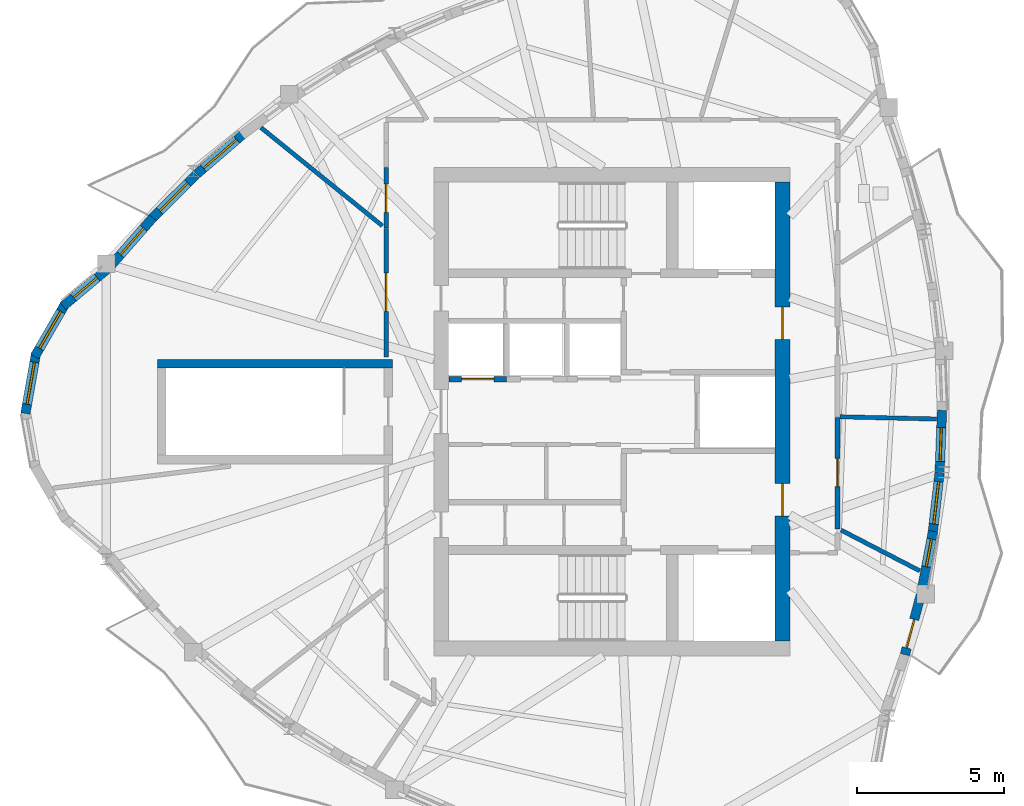
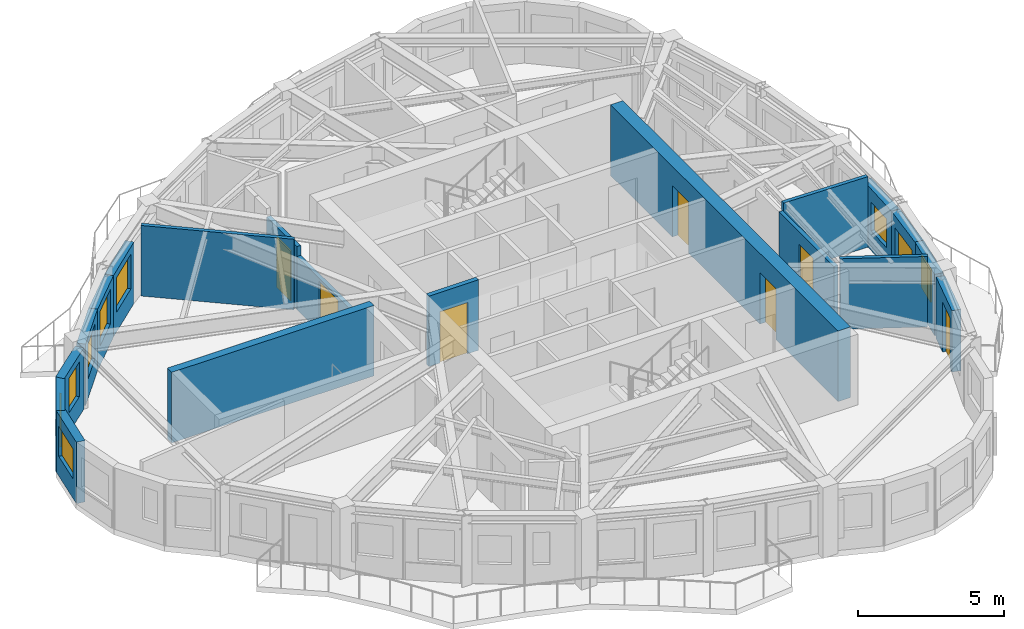
# One storey, part 5 of 12: 19 walls, 9 windows, 7 doors, 16 openings.
"""IFC4 building model written with IfcOpenShell, lengths in metres."""

from ifc_helpers import new_model, si_unit, direction, frame, frame_2d, origin, place, context, subcontext, project, spatial, rectangle, extrude, source, transform, mapped, material, layer, layer_set, type_object, element, fill, save


model = new_model("IFC4")

# Units and contexts
model_context = context("Model", 3, precision=1e-05, world=origin(), true_north=direction((0.0, 1.0)))
body_context = subcontext(model_context, "Body", "Model", "MODEL_VIEW")
ifc_project = project(units=[si_unit("LENGTHUNIT", "METRE"), si_unit("AREAUNIT", "SQUARE_METRE"), si_unit("VOLUMEUNIT", "CUBIC_METRE"), si_unit("PLANEANGLEUNIT", "RADIAN"), si_unit("MASSUNIT", "GRAM", prefix="KILO")], contexts=[model_context])

# Site, building, storey
site_placement = place(None, origin())
site = spatial("IfcSite", under=ifc_project, at=site_placement, CompositionType="ELEMENT")
building_placement = place(site_placement, origin())
building = spatial("IfcBuilding", under=site, at=building_placement, Name="Qafzar Sky-Pleat Residences", CompositionType="ELEMENT")
storey_placement = place(building_placement, frame((0.0, 0.0, 250.0)))
storey = spatial("IfcBuildingStorey", under=building, at=storey_placement, Name="L75", CompositionType="ELEMENT", Elevation=250.0)

# Wall, opening, door
ifc_material_1 = material(Name="Acoustic gypsum plasterboard partition", Category="gypsum")
ifc_layer_1 = layer(ifc_material_1, 0.159912109375)
ifc_layer_set_1 = layer_set([ifc_layer_1], Name="Acoustic gypsum plasterboard partition")
wall_type_1 = type_object("IfcWallType", Name="PART-COR-160", PredefinedType="PARTITIONING", material=ifc_layer_set_1)
wall_1_placement = place(storey_placement, frame((22.679931640625, 27.85009765625, 0.0), z_axis=(0.0, 0.0, 1.0), x_axis=(0.0, 1.0, 0.0)))
wall_1 = element("IfcWall", 1, at=wall_1_placement, inside=storey, type_object=wall_type_1, Name="L75 Partition Wall PART-L75-PW-003", PredefinedType="PARTITIONING", context=body_context, shape_type="SweptSolid", body=[
    extrude(rectangle(XDim=4.376953125, YDim=0.159912109375, at=frame_2d((2.1884765625, 0.0))), origin(), (0.0, 0.0, 1.0), 2.218017578125),
])
opening_1_placement = place(wall_1_placement, frame((1.55859375, 0.0, 0.0)))
opening_1 = element("IfcOpeningElement", 2, at=opening_1_placement, cuts=wall_1, Name="Opening ID-05", PredefinedType="OPENING", context=body_context, shape_type="SweptSolid", body=[
    extrude(rectangle(XDim=1.300048828125, YDim=2.10009765625, at=frame_2d((0.64990234375, 1.050048828125))), frame((0.0, 0.08984375, 0.0), z_axis=(0.0, -1.0, 0.0), x_axis=(1.0, 0.0, 0.0)), (0.0, 0.0, 1.0), 0.179931640625),
])
ifc_material_2 = material(Name="Timber-faced fire door", Category="wood")
door_type_1 = type_object("IfcDoorType", Name="DR-LNG-1300", OperationType="DOUBLE_DOOR_SINGLE_SWING", PredefinedType="DOOR", material=ifc_material_2)
shared_shape_1 = source(origin(), body_context, "Body", "SweptSolid", [
    extrude(rectangle(XDim=1.300048828125, YDim=2.10009765625, at=frame_2d((0.64990234375, 1.050048828125))), frame((0.0, 0.02490234375, 0.0), z_axis=(0.0, -1.0, 0.0), x_axis=(1.0, 0.0, 0.0)), (0.0, 0.0, 1.0), 0.050048828125),
])
door_1_placement = place(opening_1_placement, origin())
door_1 = element("IfcDoor", 3, at=door_1_placement, inside=storey, type_object=door_type_1, Name="L75 Tutorial Huddle Room Door", OperationType="DOUBLE_DOOR_SINGLE_SWING", OverallHeight=2.10009765625, OverallWidth=1.300048828125, PredefinedType="DOOR", context=body_context, shape_type="MappedRepresentation", body=[
    mapped(shared_shape_1, transform((0.0, 0.0, 0.0), x_axis=(1.0, 0.0, 0.0), y_axis=(0.0, 1.0, 0.0), z_axis=(0.0, 0.0, 1.0), scale=1.0)),
])
fill(opening_1, door_1)

wall_2_placement = place(storey_placement, frame((38.02001953125, 25.7939453125, 0.0), z_axis=(0.0, 0.0, 1.0), x_axis=(0.0, -1.0, 0.0)))
wall_2 = element("IfcWall", 4, at=wall_2_placement, inside=storey, type_object=wall_type_1, Name="L75 Partition Wall PART-L75-PW-005", PredefinedType="PARTITIONING", context=body_context, shape_type="SweptSolid", body=[
    extrude(rectangle(XDim=3.77783203125, YDim=0.159912109375, at=frame_2d((1.888916015625, 0.0))), origin(), (0.0, 0.0, 1.0), 2.617919921875),
])
opening_2_placement = place(wall_2_placement, frame((1.385498046875, 0.0, 0.0)))
opening_2 = element("IfcOpeningElement", 5, at=opening_2_placement, cuts=wall_2, Name="Opening ID-06", PredefinedType="OPENING", context=body_context, shape_type="SweptSolid", body=[
    extrude(rectangle(XDim=0.9599609375, YDim=2.10009765625, at=frame_2d((0.47998046875, 1.050048828125))), frame((0.0, 0.08984375, 0.0), z_axis=(0.0, -1.0, 0.0), x_axis=(1.0, 0.0, 0.0)), (0.0, 0.0, 1.0), 0.179931640625),
])
door_type_2 = type_object("IfcDoorType", Name="DR-STD-960", OperationType="NOTDEFINED", PredefinedType="DOOR", material=ifc_material_2)
shared_shape_2 = source(origin(), body_context, "Body", "SweptSolid", [
    extrude(rectangle(XDim=0.9599609375, YDim=2.10009765625, at=frame_2d((0.47998046875, 1.050048828125))), frame((0.0, 0.02490234375, 0.0), z_axis=(0.0, -1.0, 0.0), x_axis=(1.0, 0.0, 0.0)), (0.0, 0.0, 1.0), 0.050048828125),
])
door_2_placement = place(opening_2_placement, origin())
door_2 = element("IfcDoor", 6, at=door_2_placement, inside=storey, type_object=door_type_2, Name="L75 Quiet Prayer Room Door", OperationType="SINGLE_SWING_RIGHT", OverallHeight=2.10009765625, OverallWidth=0.9599609375, PredefinedType="DOOR", context=body_context, shape_type="MappedRepresentation", body=[
    mapped(shared_shape_2, transform((0.0, 0.0, 0.0), x_axis=(1.0, 0.0, 0.0), y_axis=(0.0, 1.0, 0.0), z_axis=(0.0, 0.0, 1.0), scale=1.0)),
])
fill(opening_2, door_2)

wall_3_placement = place(storey_placement, frame((22.679931640625, 32.241943359375, 0.0), z_axis=(0.0, 0.0, 1.0), x_axis=(0.0, 1.0, 0.0)))
wall_3 = element("IfcWall", 7, at=wall_3_placement, inside=storey, type_object=wall_type_1, Name="L75 Partition Wall PART-L75-PW-010", PredefinedType="PARTITIONING", context=body_context, shape_type="SweptSolid", body=[
    extrude(rectangle(XDim=2.05810546875, YDim=0.159912109375, at=frame_2d((1.029052734375, 0.0))), origin(), (0.0, 0.0, 1.0), 2.617919921875),
])
opening_3_placement = place(wall_3_placement, frame((0.531982421875, 0.0, 0.0)))
opening_3 = element("IfcOpeningElement", 8, at=opening_3_placement, cuts=wall_3, Name="Opening ID-06", PredefinedType="OPENING", context=body_context, shape_type="SweptSolid", body=[
    extrude(rectangle(XDim=0.9599609375, YDim=2.10009765625, at=frame_2d((0.47998046875, 1.050048828125))), frame((0.0, 0.08984375, 0.0), z_axis=(0.0, -1.0, 0.0), x_axis=(1.0, 0.0, 0.0)), (0.0, 0.0, 1.0), 0.179931640625),
])
door_3_placement = place(opening_3_placement, origin())
door_3 = element("IfcDoor", 9, at=door_3_placement, inside=storey, type_object=door_type_2, Name="L75 Media Screening Room Door", OperationType="SINGLE_SWING_RIGHT", OverallHeight=2.10009765625, OverallWidth=0.9599609375, PredefinedType="DOOR", context=body_context, shape_type="MappedRepresentation", body=[
    mapped(shared_shape_2, transform((0.0, 0.0, 0.0), x_axis=(1.0, 0.0, 0.0), y_axis=(0.0, 1.0, 0.0), z_axis=(0.0, 0.0, 1.0), scale=1.0)),
])
fill(opening_3, door_3)

ifc_material_3 = material(Name="Concrete blockwork partition", Category="masonry")
ifc_layer_2 = layer(ifc_material_3, 0.179931640625)
ifc_layer_set_2 = layer_set([ifc_layer_2], Name="Concrete blockwork partition")
wall_type_2 = type_object("IfcWallType", Name="PART-SHAFT-180", PredefinedType="PARTITIONING", material=ifc_layer_set_2)
wall_4_placement = place(storey_placement, frame((24.81005859375, 27.10009765625, 0.0), z_axis=(0.0, 0.0, 1.0), x_axis=(1.0, 0.0, 0.0)))
wall_4 = element("IfcWall", 10, at=wall_4_placement, inside=storey, type_object=wall_type_2, Name="L75 Partition Wall PART-L75-P4-S", PredefinedType="PARTITIONING", context=body_context, shape_type="SweptSolid", body=[
    extrude(rectangle(XDim=1.96484375, YDim=0.179931640625, at=frame_2d((0.982421875, 0.0))), origin(), (0.0, 0.0, 1.0), 2.949951171875),
])
opening_4_placement = place(wall_4_placement, frame((0.4326171875, 0.0, 0.0)))
opening_4 = element("IfcOpeningElement", 11, at=opening_4_placement, cuts=wall_4, Name="Opening LD-01", PredefinedType="OPENING", context=body_context, shape_type="SweptSolid", body=[
    extrude(rectangle(XDim=1.10009765625, YDim=2.14990234375, at=frame_2d((0.550048828125, 1.074951171875))), frame((0.0, 0.10009765625, 0.0), z_axis=(0.0, -1.0, 0.0), x_axis=(1.0, 0.0, 0.0)), (0.0, 0.0, 1.0), 0.199951171875),
])
ifc_material_4 = material(Name="Stainless steel sliding landing door", Category="steel")
door_type_3 = type_object("IfcDoorType", Name="DR-LIFT-P", OperationType="DOUBLE_DOOR_SLIDING", PredefinedType="DOOR", material=ifc_material_4)
shared_shape_3 = source(origin(), body_context, "Body", "SweptSolid", [
    extrude(rectangle(XDim=1.10009765625, YDim=2.14990234375, at=frame_2d((0.550048828125, 1.074951171875))), frame((0.0, 0.02490234375, 0.0), z_axis=(0.0, -1.0, 0.0), x_axis=(1.0, 0.0, 0.0)), (0.0, 0.0, 1.0), 0.050048828125),
])
door_4_placement = place(opening_4_placement, origin())
door_4 = element("IfcDoor", 12, at=door_4_placement, inside=storey, type_object=door_type_3, Name="L75 Passenger Lift P4 Landing Door", OperationType="DOUBLE_DOOR_SLIDING", OverallHeight=2.14990234375, OverallWidth=1.10009765625, PredefinedType="DOOR", context=body_context, shape_type="MappedRepresentation", body=[
    mapped(shared_shape_3, transform((0.0, 0.0, 0.0), x_axis=(1.0, 0.0, 0.0), y_axis=(0.0, 1.0, 0.0), z_axis=(0.0, 0.0, 1.0), scale=1.0)),
])
fill(opening_4, door_4)

# Walls
ifc_layer_3 = layer(ifc_material_1, 0.14501953125)
ifc_layer_set_3 = layer_set([ifc_layer_3], Name="Acoustic gypsum plasterboard partition")
wall_type_3 = type_object("IfcWallType", Name="PART-UNIT-145", PredefinedType="PARTITIONING", material=ifc_layer_set_3)
wall_5_placement = place(storey_placement, frame((18.425537109375, 35.65087890625, 0.0), z_axis=(0.0, 0.0, 1.0), x_axis=(0.777348848989, -0.629069763202, 0.0)))
element("IfcWall", 13, at=wall_5_placement, inside=storey, type_object=wall_type_3, Name="L75 Partition Wall PART-L75-PW-015", PredefinedType="PARTITIONING", context=body_context, shape_type="SweptSolid", body=[
    extrude(rectangle(XDim=5.303466796875, YDim=0.14501953125, at=frame_2d((2.65185546875, 0.0))), origin(), (0.0, 0.0, 1.0), 2.949951171875),
])
wall_6_placement = place(storey_placement, frame((38.109619140625, 25.822021484375, 0.0), z_axis=(0.0, 0.0, 1.0), x_axis=(0.999734335157, -0.023049058746, 0.0)))
element("IfcWall", 14, at=wall_6_placement, inside=storey, type_object=wall_type_3, Name="L75 Partition Wall PART-L75-PW-017", PredefinedType="PARTITIONING", context=body_context, shape_type="SweptSolid", body=[
    extrude(rectangle(XDim=3.28369140625, YDim=0.14501953125, at=frame_2d((1.641845703125, 0.0))), origin(), (0.0, 0.0, 1.0), 2.949951171875),
])
wall_7_placement = place(storey_placement, frame((38.140380859375, 21.970703125, 0.0), z_axis=(0.0, 0.0, 1.0), x_axis=(0.888273451666, -0.459315006357, 0.0)))
element("IfcWall", 15, at=wall_7_placement, inside=storey, type_object=wall_type_3, Name="L75 Partition Wall PART-L75-PW-018", PredefinedType="PARTITIONING", context=body_context, shape_type="SweptSolid", body=[
    extrude(rectangle(XDim=3.015869140625, YDim=0.14501953125, at=frame_2d((1.5078125, 0.0))), origin(), (0.0, 0.0, 1.0), 2.949951171875),
])

# Wall, opening, window
ifc_material_5 = material(Name="Precast concrete C40/50 with honed Riyadh limestone", Category="concrete")
ifc_layer_4 = layer(ifc_material_5, 0.320068359375)
ifc_layer_set_4 = layer_set([ifc_layer_4], Name="Precast concrete C40/50 with honed Riyadh limestone")
wall_type_4 = type_object("IfcWallType", Name="WALL-EXT-320", PredefinedType="SOLIDWALL", material=ifc_layer_set_4)
wall_8_placement = place(storey_placement, frame((13.198974609375, 30.842529296875, 0.0), z_axis=(0.0, 0.0, 1.0), x_axis=(-0.766116451135, -0.642701784112, 0.0)))
wall_8 = element("IfcWall", 16, at=wall_8_placement, inside=storey, type_object=wall_type_4, Name="L75 Limestone Facade Wall 1", PredefinedType="SOLIDWALL", context=body_context, shape_type="SweptSolid", body=[
    extrude(rectangle(XDim=1.96240234375, YDim=0.320068359375, at=frame_2d((0.981201171875, 0.0))), origin(), (0.0, 0.0, 1.0), 2.570068359375),
])
opening_5_placement = place(wall_8_placement, frame((0.451171875, 0.0, 0.820068359375)))
opening_5 = element("IfcOpeningElement", 17, at=opening_5_placement, cuts=wall_8, Name="Opening WN-06", PredefinedType="OPENING", context=body_context, shape_type="SweptSolid", body=[
    extrude(rectangle(XDim=1.050048828125, YDim=1.449951171875, at=frame_2d((0.52490234375, 0.72509765625))), frame((0.0, 0.169921875, 0.0), z_axis=(0.0, -1.0, 0.0), x_axis=(1.0, 0.0, 0.0)), (0.0, 0.0, 1.0), 0.340087890625),
])
ifc_material_6 = material(Name="Solar-control low-E glass in bronze aluminium frame", Category="glass")
window_type_1 = type_object("IfcWindowType", Name="WIN-06", PartitioningType="SINGLE_PANEL", PredefinedType="WINDOW", material=ifc_material_6)
shared_shape_4 = source(origin(), body_context, "Body", "SweptSolid", [
    extrude(rectangle(XDim=1.050048828125, YDim=1.449951171875, at=frame_2d((0.52490234375, 0.72509765625))), frame((0.0, 0.030029296875, 0.0), z_axis=(0.0, -1.0, 0.0), x_axis=(1.0, 0.0, 0.0)), (0.0, 0.0, 1.0), 0.06005859375),
])
window_1_placement = place(opening_5_placement, origin())
window_1 = element("IfcWindow", 18, at=window_1_placement, inside=storey, type_object=window_type_1, Name="L75 Punched Facade Window 01", OverallHeight=1.449951171875, OverallWidth=1.050048828125, PartitioningType="SINGLE_PANEL", PredefinedType="WINDOW", context=body_context, shape_type="MappedRepresentation", body=[
    mapped(shared_shape_4, transform((0.0, 0.0, 0.0), x_axis=(1.0, 0.0, 0.0), y_axis=(0.0, 1.0, 0.0), z_axis=(0.0, 0.0, 1.0), scale=1.0)),
])
fill(opening_5, window_1)

wall_9_placement = place(storey_placement, frame((11.779541015625, 29.68115234375, 0.0), z_axis=(0.0, 0.0, 1.0), x_axis=(-0.499995423472, -0.866028046028, 0.0)))
wall_9 = element("IfcWall", 19, at=wall_9_placement, inside=storey, type_object=wall_type_4, Name="L75 Limestone Facade Wall 2", PredefinedType="SOLIDWALL", context=body_context, shape_type="SweptSolid", body=[
    extrude(rectangle(XDim=2.09033203125, YDim=0.320068359375, at=frame_2d((1.045166015625, 0.0))), origin(), (0.0, 0.0, 1.0), 2.570068359375),
])
opening_6_placement = place(wall_9_placement, frame((0.3203125, 0.0, 0.820068359375)))
opening_6 = element("IfcOpeningElement", 20, at=opening_6_placement, cuts=wall_9, Name="Opening WN-15", PredefinedType="OPENING", context=body_context, shape_type="SweptSolid", body=[
    extrude(rectangle(XDim=1.449951171875, YDim=1.25, at=frame_2d((0.72509765625, 0.625))), frame((0.0, 0.169921875, 0.0), z_axis=(0.0, -1.0, 0.0), x_axis=(1.0, 0.0, 0.0)), (0.0, 0.0, 1.0), 0.340087890625),
])
window_type_2 = type_object("IfcWindowType", Name="WIN-15", PartitioningType="SINGLE_PANEL", PredefinedType="WINDOW", material=ifc_material_6)
shared_shape_5 = source(origin(), body_context, "Body", "SweptSolid", [
    extrude(rectangle(XDim=1.449951171875, YDim=1.25, at=frame_2d((0.72509765625, 0.625))), frame((0.0, 0.030029296875, 0.0), z_axis=(0.0, -1.0, 0.0), x_axis=(1.0, 0.0, 0.0)), (0.0, 0.0, 1.0), 0.06005859375),
])
window_2_placement = place(opening_6_placement, origin())
window_2 = element("IfcWindow", 21, at=window_2_placement, inside=storey, type_object=window_type_2, Name="L75 Punched Facade Window 02", OverallHeight=1.25, OverallWidth=1.449951171875, PartitioningType="SINGLE_PANEL", PredefinedType="WINDOW", context=body_context, shape_type="MappedRepresentation", body=[
    mapped(shared_shape_5, transform((0.0, 0.0, 0.0), x_axis=(1.0, 0.0, 0.0), y_axis=(0.0, 1.0, 0.0), z_axis=(0.0, 0.0, 1.0), scale=1.0)),
])
fill(opening_6, window_2)

wall_10_placement = place(storey_placement, frame((10.779052734375, 27.993408203125, 0.0), z_axis=(0.0, 0.0, 1.0), x_axis=(-0.173672066494, -0.984803540469, 0.0)))
wall_10 = element("IfcWall", 22, at=wall_10_placement, inside=storey, type_object=wall_type_4, Name="L75 Limestone Facade Wall 3", PredefinedType="SOLIDWALL", context=body_context, shape_type="SweptSolid", body=[
    extrude(rectangle(XDim=2.09033203125, YDim=0.320068359375, at=frame_2d((1.045166015625, 0.0))), origin(), (0.0, 0.0, 1.0), 2.570068359375),
])
opening_7_placement = place(wall_10_placement, frame((0.3203125, 0.0, 0.820068359375)))
opening_7 = element("IfcOpeningElement", 23, at=opening_7_placement, cuts=wall_10, Name="Opening WN-15", PredefinedType="OPENING", context=body_context, shape_type="SweptSolid", body=[
    extrude(rectangle(XDim=1.449951171875, YDim=1.25, at=frame_2d((0.72509765625, 0.625))), frame((0.0, 0.169921875, 0.0), z_axis=(0.0, -1.0, 0.0), x_axis=(1.0, 0.0, 0.0)), (0.0, 0.0, 1.0), 0.340087890625),
])
window_3_placement = place(opening_7_placement, origin())
window_3 = element("IfcWindow", 24, at=window_3_placement, inside=storey, type_object=window_type_2, Name="L75 Punched Facade Window 03", OverallHeight=1.25, OverallWidth=1.449951171875, PartitioningType="SINGLE_PANEL", PredefinedType="WINDOW", context=body_context, shape_type="MappedRepresentation", body=[
    mapped(shared_shape_5, transform((0.0, 0.0, 0.0), x_axis=(1.0, 0.0, 0.0), y_axis=(0.0, 1.0, 0.0), z_axis=(0.0, 0.0, 1.0), scale=1.0)),
])
fill(opening_7, window_3)

# Wall, opening, door
wall_11_placement = place(storey_placement, frame((40.31005859375, 17.735595703125, 0.0), z_axis=(0.0, 0.0, 1.0), x_axis=(0.257094755125, 0.966386199657, 0.0)))
wall_11 = element("IfcWall", 25, at=wall_11_placement, inside=storey, type_object=wall_type_4, Name="L75 Limestone Facade Wall 24", PredefinedType="SOLIDWALL", context=body_context, shape_type="SweptSolid", body=[
    extrude(rectangle(XDim=2.087158203125, YDim=0.320068359375, at=frame_2d((1.04345703125, 0.0))), origin(), (0.0, 0.0, 1.0), 2.570068359375),
])
opening_8_placement = place(wall_11_placement, frame((0.239990234375, 0.0, 0.0)))
opening_8 = element("IfcOpeningElement", 26, at=opening_8_placement, cuts=wall_11, Name="Opening ED-05", PredefinedType="OPENING", context=body_context, shape_type="SweptSolid", body=[
    extrude(rectangle(XDim=1.0, YDim=2.10009765625, at=frame_2d((0.5, 1.050048828125))), frame((0.0, 0.169921875, 0.0), z_axis=(0.0, -1.0, 0.0), x_axis=(1.0, 0.0, 0.0)), (0.0, 0.0, 1.0), 0.340087890625),
])
ifc_material_7 = material(Name="Glazed bronze aluminium door", Category="aluminium")
door_type_4 = type_object("IfcDoorType", Name="DR-BAL-1000", OperationType="NOTDEFINED", PredefinedType="DOOR", material=ifc_material_7)
shared_shape_6 = source(origin(), body_context, "Body", "SweptSolid", [
    extrude(rectangle(XDim=1.0, YDim=2.10009765625, at=frame_2d((0.5, 1.050048828125))), frame((0.0, 0.02490234375, 0.0), z_axis=(0.0, -1.0, 0.0), x_axis=(1.0, 0.0, 0.0)), (0.0, 0.0, 1.0), 0.050048828125),
])
door_5_placement = place(opening_8_placement, origin())
door_5 = element("IfcDoor", 27, at=door_5_placement, inside=storey, type_object=door_type_4, Name="L75 Glazed Balcony Door 1", OperationType="SINGLE_SWING_LEFT", OverallHeight=2.10009765625, OverallWidth=1.0, PredefinedType="DOOR", context=body_context, shape_type="MappedRepresentation", body=[
    mapped(shared_shape_6, transform((0.0, 0.0, 0.0), x_axis=(1.0, 0.0, 0.0), y_axis=(0.0, 1.0, 0.0), z_axis=(0.0, 0.0, 1.0), scale=1.0)),
])
fill(opening_8, door_5)

# Wall, opening, window
wall_12_placement = place(storey_placement, frame((40.884033203125, 19.916748046875, 0.0), z_axis=(0.0, 0.0, 1.0), x_axis=(0.186658349395, 0.98242488802, 0.0)))
wall_12 = element("IfcWall", 28, at=wall_12_placement, inside=storey, type_object=wall_type_4, Name="L75 Limestone Facade Wall 25", PredefinedType="SOLIDWALL", context=body_context, shape_type="SweptSolid", body=[
    extrude(rectangle(XDim=2.05224609375, YDim=0.320068359375, at=frame_2d((1.026123046875, 0.0))), origin(), (0.0, 0.0, 1.0), 2.570068359375),
])
opening_9_placement = place(wall_12_placement, frame((0.827880859375, 0.0, 0.820068359375)))
opening_9 = element("IfcOpeningElement", 29, at=opening_9_placement, cuts=wall_12, Name="Opening WN-12", PredefinedType="OPENING", context=body_context, shape_type="SweptSolid", body=[
    extrude(rectangle(XDim=0.949951171875, YDim=1.35009765625, at=frame_2d((0.47509765625, 0.675048828125))), frame((0.0, 0.169921875, 0.0), z_axis=(0.0, -1.0, 0.0), x_axis=(1.0, 0.0, 0.0)), (0.0, 0.0, 1.0), 0.340087890625),
])
window_type_3 = type_object("IfcWindowType", Name="WIN-12", PartitioningType="SINGLE_PANEL", PredefinedType="WINDOW", material=ifc_material_6)
shared_shape_7 = source(origin(), body_context, "Body", "SweptSolid", [
    extrude(rectangle(XDim=0.949951171875, YDim=1.35009765625, at=frame_2d((0.47509765625, 0.675048828125))), frame((0.0, 0.030029296875, 0.0), z_axis=(0.0, -1.0, 0.0), x_axis=(1.0, 0.0, 0.0)), (0.0, 0.0, 1.0), 0.06005859375),
])
window_4_placement = place(opening_9_placement, origin())
window_4 = element("IfcWindow", 30, at=window_4_placement, inside=storey, type_object=window_type_3, Name="L75 Punched Facade Window 25-2", OverallHeight=1.35009765625, OverallWidth=0.949951171875, PartitioningType="SINGLE_PANEL", PredefinedType="WINDOW", context=body_context, shape_type="MappedRepresentation", body=[
    mapped(shared_shape_7, transform((0.0, 0.0, 0.0), x_axis=(1.0, 0.0, 0.0), y_axis=(0.0, 1.0, 0.0), z_axis=(0.0, 0.0, 1.0), scale=1.0)),
])
fill(opening_9, window_4)

wall_13_placement = place(storey_placement, frame((41.25390625, 21.845947265625, 0.0), z_axis=(0.0, 0.0, 1.0), x_axis=(0.113303807423, 0.993560389319, 0.0)))
wall_13 = element("IfcWall", 31, at=wall_13_placement, inside=storey, type_object=wall_type_4, Name="L75 Limestone Facade Wall 26", PredefinedType="SOLIDWALL", context=body_context, shape_type="SweptSolid", body=[
    extrude(rectangle(XDim=2.0986328125, YDim=0.320068359375, at=frame_2d((1.04931640625, 0.0))), origin(), (0.0, 0.0, 1.0), 2.570068359375),
])
opening_10_placement = place(wall_13_placement, frame((0.334228515625, 0.0, 0.820068359375)))
opening_10 = element("IfcOpeningElement", 32, at=opening_10_placement, cuts=wall_13, Name="Opening WN-15", PredefinedType="OPENING", context=body_context, shape_type="SweptSolid", body=[
    extrude(rectangle(XDim=1.449951171875, YDim=1.25, at=frame_2d((0.72509765625, 0.625))), frame((0.0, 0.169921875, 0.0), z_axis=(0.0, -1.0, 0.0), x_axis=(1.0, 0.0, 0.0)), (0.0, 0.0, 1.0), 0.340087890625),
])
window_5_placement = place(opening_10_placement, origin())
window_5 = element("IfcWindow", 33, at=window_5_placement, inside=storey, type_object=window_type_2, Name="L75 Punched Facade Window 26", OverallHeight=1.25, OverallWidth=1.449951171875, PartitioningType="SINGLE_PANEL", PredefinedType="WINDOW", context=body_context, shape_type="MappedRepresentation", body=[
    mapped(shared_shape_5, transform((0.0, 0.0, 0.0), x_axis=(1.0, 0.0, 0.0), y_axis=(0.0, 1.0, 0.0), z_axis=(0.0, 0.0, 1.0), scale=1.0)),
])
fill(opening_10, window_5)

wall_14_placement = place(storey_placement, frame((41.49365234375, 23.958984375, 0.0), z_axis=(0.0, 0.0, 1.0), x_axis=(0.038028678064, 0.999276648203, 0.0)))
wall_14 = element("IfcWall", 34, at=wall_14_placement, inside=storey, type_object=wall_type_4, Name="L75 Limestone Facade Wall 27", PredefinedType="SOLIDWALL", context=body_context, shape_type="SweptSolid", body=[
    extrude(rectangle(XDim=2.08642578125, YDim=0.320068359375, at=frame_2d((1.043212890625, 0.0))), origin(), (0.0, 0.0, 1.0), 2.570068359375),
])
opening_11_placement = place(wall_14_placement, frame((0.34619140625, 0.0, 0.820068359375)))
opening_11 = element("IfcOpeningElement", 35, at=opening_11_placement, cuts=wall_14, Name="Opening WN-16", PredefinedType="OPENING", context=body_context, shape_type="SweptSolid", body=[
    extrude(rectangle(XDim=1.14990234375, YDim=1.199951171875, at=frame_2d((0.574951171875, 0.60009765625))), frame((0.0, 0.169921875, 0.0), z_axis=(0.0, -1.0, 0.0), x_axis=(1.0, 0.0, 0.0)), (0.0, 0.0, 1.0), 0.340087890625),
])
window_type_4 = type_object("IfcWindowType", Name="WIN-16", PartitioningType="SINGLE_PANEL", PredefinedType="WINDOW", material=ifc_material_6)
shared_shape_8 = source(origin(), body_context, "Body", "SweptSolid", [
    extrude(rectangle(XDim=1.14990234375, YDim=1.199951171875, at=frame_2d((0.574951171875, 0.60009765625))), frame((0.0, 0.030029296875, 0.0), z_axis=(0.0, -1.0, 0.0), x_axis=(1.0, 0.0, 0.0)), (0.0, 0.0, 1.0), 0.06005859375),
])
window_6_placement = place(opening_11_placement, origin())
window_6 = element("IfcWindow", 36, at=window_6_placement, inside=storey, type_object=window_type_4, Name="L75 Punched Facade Window 27", OverallHeight=1.199951171875, OverallWidth=1.14990234375, PartitioningType="SINGLE_PANEL", PredefinedType="WINDOW", context=body_context, shape_type="MappedRepresentation", body=[
    mapped(shared_shape_8, transform((0.0, 0.0, 0.0), x_axis=(1.0, 0.0, 0.0), y_axis=(0.0, 1.0, 0.0), z_axis=(0.0, 0.0, 1.0), scale=1.0)),
])
fill(opening_11, window_6)

wall_15_placement = place(storey_placement, frame((17.843994140625, 35.4560546875, 0.0), z_axis=(0.0, 0.0, 1.0), x_axis=(-0.757409961601, -0.652939622069, 0.0)))
wall_15 = element("IfcWall", 37, at=wall_15_placement, inside=storey, type_object=wall_type_4, Name="L75 Limestone Facade Wall 46", PredefinedType="SOLIDWALL", context=body_context, shape_type="SweptSolid", body=[
    extrude(rectangle(XDim=2.121826171875, YDim=0.320068359375, at=frame_2d((1.06103515625, 0.0))), origin(), (0.0, 0.0, 1.0), 2.570068359375),
])
opening_12_placement = place(wall_15_placement, frame((0.321044921875, 0.0, 0.820068359375)))
opening_12 = element("IfcOpeningElement", 38, at=opening_12_placement, cuts=wall_15, Name="Opening WN-03", PredefinedType="OPENING", context=body_context, shape_type="SweptSolid", body=[
    extrude(rectangle(XDim=1.5, YDim=1.449951171875, at=frame_2d((0.75, 0.72509765625))), frame((0.0, 0.169921875, 0.0), z_axis=(0.0, -1.0, 0.0), x_axis=(1.0, 0.0, 0.0)), (0.0, 0.0, 1.0), 0.340087890625),
])
window_type_5 = type_object("IfcWindowType", Name="WIN-03", PartitioningType="DOUBLE_PANEL_VERTICAL", PredefinedType="WINDOW", material=ifc_material_6)
shared_shape_9 = source(origin(), body_context, "Body", "SweptSolid", [
    extrude(rectangle(XDim=1.5, YDim=1.449951171875, at=frame_2d((0.75, 0.72509765625))), frame((0.0, 0.030029296875, 0.0), z_axis=(0.0, -1.0, 0.0), x_axis=(1.0, 0.0, 0.0)), (0.0, 0.0, 1.0), 0.06005859375),
])
window_7_placement = place(opening_12_placement, origin())
window_7 = element("IfcWindow", 39, at=window_7_placement, inside=storey, type_object=window_type_5, Name="L75 Punched Facade Window 46", OverallHeight=1.449951171875, OverallWidth=1.5, PartitioningType="SINGLE_PANEL", PredefinedType="WINDOW", context=body_context, shape_type="MappedRepresentation", body=[
    mapped(shared_shape_9, transform((0.0, 0.0, 0.0), x_axis=(1.0, 0.0, 0.0), y_axis=(0.0, 1.0, 0.0), z_axis=(0.0, 0.0, 1.0), scale=1.0)),
])
fill(opening_12, window_7)

wall_16_placement = place(storey_placement, frame((16.2158203125, 34.051025390625, 0.0), z_axis=(0.0, 0.0, 1.0), x_axis=(-0.708407178152, -0.70580398833, 0.0)))
wall_16 = element("IfcWall", 40, at=wall_16_placement, inside=storey, type_object=wall_type_4, Name="L75 Limestone Facade Wall 47", PredefinedType="SOLIDWALL", context=body_context, shape_type="SweptSolid", body=[
    extrude(rectangle(XDim=2.156982421875, YDim=0.320068359375, at=frame_2d((1.07861328125, 0.0))), origin(), (0.0, 0.0, 1.0), 2.570068359375),
])
opening_13_placement = place(wall_16_placement, frame((0.3935546875, 0.0, 0.820068359375)))
opening_13 = element("IfcOpeningElement", 41, at=opening_13_placement, cuts=wall_16, Name="Opening WN-04", PredefinedType="OPENING", context=body_context, shape_type="SweptSolid", body=[
    extrude(rectangle(XDim=1.35009765625, YDim=1.449951171875, at=frame_2d((0.675048828125, 0.72509765625))), frame((0.0, 0.169921875, 0.0), z_axis=(0.0, -1.0, 0.0), x_axis=(1.0, 0.0, 0.0)), (0.0, 0.0, 1.0), 0.340087890625),
])
window_type_6 = type_object("IfcWindowType", Name="WIN-04", PartitioningType="SINGLE_PANEL", PredefinedType="WINDOW", material=ifc_material_6)
shared_shape_10 = source(origin(), body_context, "Body", "SweptSolid", [
    extrude(rectangle(XDim=1.35009765625, YDim=1.449951171875, at=frame_2d((0.675048828125, 0.72509765625))), frame((0.0, 0.030029296875, 0.0), z_axis=(0.0, -1.0, 0.0), x_axis=(1.0, 0.0, 0.0)), (0.0, 0.0, 1.0), 0.06005859375),
])
window_8_placement = place(opening_13_placement, origin())
window_8 = element("IfcWindow", 42, at=window_8_placement, inside=storey, type_object=window_type_6, Name="L75 Punched Facade Window 47", OverallHeight=1.449951171875, OverallWidth=1.35009765625, PartitioningType="SINGLE_PANEL", PredefinedType="WINDOW", context=body_context, shape_type="MappedRepresentation", body=[
    mapped(shared_shape_10, transform((0.0, 0.0, 0.0), x_axis=(1.0, 0.0, 0.0), y_axis=(0.0, 1.0, 0.0), z_axis=(0.0, 0.0, 1.0), scale=1.0)),
])
fill(opening_13, window_8)

wall_17_placement = place(storey_placement, frame((14.747314453125, 32.59228515625, 0.0), z_axis=(0.0, 0.0, 1.0), x_axis=(-0.657637026097, -0.753334946691, 0.0)))
wall_17 = element("IfcWall", 43, at=wall_17_placement, inside=storey, type_object=wall_type_4, Name="L75 Limestone Facade Wall 48", PredefinedType="SOLIDWALL", context=body_context, shape_type="SweptSolid", body=[
    extrude(rectangle(XDim=2.1328125, YDim=0.320068359375, at=frame_2d((1.06640625, 0.0))), origin(), (0.0, 0.0, 1.0), 2.570068359375),
])
opening_14_placement = place(wall_17_placement, frame((0.471435546875, 0.0, 0.820068359375)))
opening_14 = element("IfcOpeningElement", 44, at=opening_14_placement, cuts=wall_17, Name="Opening WN-05", PredefinedType="OPENING", context=body_context, shape_type="SweptSolid", body=[
    extrude(rectangle(XDim=1.199951171875, YDim=1.449951171875, at=frame_2d((0.60009765625, 0.72509765625))), frame((0.0, 0.169921875, 0.0), z_axis=(0.0, -1.0, 0.0), x_axis=(1.0, 0.0, 0.0)), (0.0, 0.0, 1.0), 0.340087890625),
])
window_type_7 = type_object("IfcWindowType", Name="WIN-05", PartitioningType="SINGLE_PANEL", PredefinedType="WINDOW", material=ifc_material_6)
shared_shape_11 = source(origin(), body_context, "Body", "SweptSolid", [
    extrude(rectangle(XDim=1.199951171875, YDim=1.449951171875, at=frame_2d((0.60009765625, 0.72509765625))), frame((0.0, 0.030029296875, 0.0), z_axis=(0.0, -1.0, 0.0), x_axis=(1.0, 0.0, 0.0)), (0.0, 0.0, 1.0), 0.06005859375),
])
window_9_placement = place(opening_14_placement, origin())
window_9 = element("IfcWindow", 45, at=window_9_placement, inside=storey, type_object=window_type_7, Name="L75 Punched Facade Window 48", OverallHeight=1.449951171875, OverallWidth=1.199951171875, PartitioningType="SINGLE_PANEL", PredefinedType="WINDOW", context=body_context, shape_type="MappedRepresentation", body=[
    mapped(shared_shape_11, transform((0.0, 0.0, 0.0), x_axis=(1.0, 0.0, 0.0), y_axis=(0.0, 1.0, 0.0), z_axis=(0.0, 0.0, 1.0), scale=1.0)),
])
fill(opening_14, window_9)

# Wall
ifc_material_8 = material(Name="Concrete C60/75", Category="concrete")
ifc_layer_5 = layer(ifc_material_8, 0.300048828125)
ifc_layer_set_5 = layer_set([ifc_layer_5], Name="Concrete C60/75")
wall_type_5 = type_object("IfcWallType", Name="WALL-SHEAR-300", PredefinedType="SHEAR", material=ifc_layer_set_5)
wall_18_placement = place(storey_placement, frame((22.89990234375, 27.625, 0.0), z_axis=(0.0, 0.0, 1.0), x_axis=(-1.0, 0.0, 0.0)))
element("IfcWall", 46, at=wall_18_placement, inside=storey, type_object=wall_type_5, Name="L75 ST3 wall N", PredefinedType="SHEAR", context=body_context, shape_type="SweptSolid", body=[
    extrude(rectangle(XDim=8.0, YDim=0.300048828125, at=frame_2d((4.0, 0.0))), origin(), (0.0, 0.0, 1.0), 2.949951171875),
])

# Wall, openings, doors
ifc_layer_6 = layer(ifc_material_8, 0.5)
ifc_layer_set_6 = layer_set([ifc_layer_6], Name="Concrete C60/75")
wall_type_6 = type_object("IfcWallType", Name="WALL-SHEAR-500", PredefinedType="SHEAR", material=ifc_layer_set_6)
wall_19_placement = place(storey_placement, frame((36.14990234375, 18.199951171875, 0.0), z_axis=(0.0, 0.0, 1.0), x_axis=(0.0, 1.0, 0.0)))
wall_19 = element("IfcWall", 47, at=wall_19_placement, inside=storey, type_object=wall_type_6, Name="L75 CORE wall E", PredefinedType="SHEAR", context=body_context, shape_type="SweptSolid", body=[
    extrude(rectangle(XDim=15.60009765625, YDim=0.5, at=frame_2d((7.800048828125, 0.0))), origin(), (0.0, 0.0, 1.0), 2.949951171875),
])
opening_15_placement = place(wall_19_placement, frame((4.25, 0.0, 0.0)))
opening_15 = element("IfcOpeningElement", 48, at=opening_15_placement, cuts=wall_19, Name="Opening ID-02", PredefinedType="OPENING", context=body_context, shape_type="SweptSolid", body=[
    extrude(rectangle(XDim=1.10009765625, YDim=2.14990234375, at=frame_2d((0.550048828125, 1.074951171875))), frame((0.0, 0.260009765625, 0.0), z_axis=(0.0, -1.0, 0.0), x_axis=(1.0, 0.0, 0.0)), (0.0, 0.0, 1.0), 0.52001953125),
])
opening_16_placement = place(wall_19_placement, frame((10.25, 0.0, 0.0)))
opening_16 = element("IfcOpeningElement", 49, at=opening_16_placement, cuts=wall_19, Name="Opening ID-02", PredefinedType="OPENING", context=body_context, shape_type="SweptSolid", body=[
    extrude(rectangle(XDim=1.10009765625, YDim=2.14990234375, at=frame_2d((0.550048828125, 1.074951171875))), frame((0.0, 0.260009765625, 0.0), z_axis=(0.0, -1.0, 0.0), x_axis=(1.0, 0.0, 0.0)), (0.0, 0.0, 1.0), 0.52001953125),
])
door_type_5 = type_object("IfcDoorType", Name="DR-FFL-1100", OperationType="NOTDEFINED", PredefinedType="DOOR", material=ifc_material_2)
door_6_placement = place(opening_15_placement, origin())
door_6 = element("IfcDoor", 50, at=door_6_placement, inside=storey, type_object=door_type_5, Name="L75 Firefighting Lobby South Corridor Door", OperationType="SINGLE_SWING_RIGHT", OverallHeight=2.14990234375, OverallWidth=1.10009765625, PredefinedType="DOOR", context=body_context, shape_type="MappedRepresentation", body=[
    mapped(shared_shape_3, transform((0.0, 0.0, 0.0), x_axis=(1.0, 0.0, 0.0), y_axis=(0.0, 1.0, 0.0), z_axis=(0.0, 0.0, 1.0), scale=1.0)),
])
fill(opening_15, door_6)
door_7_placement = place(opening_16_placement, origin())
door_7 = element("IfcDoor", 51, at=door_7_placement, inside=storey, type_object=door_type_5, Name="L75 Firefighting Lobby North Corridor Door", OperationType="SINGLE_SWING_LEFT", OverallHeight=2.14990234375, OverallWidth=1.10009765625, PredefinedType="DOOR", context=body_context, shape_type="MappedRepresentation", body=[
    mapped(shared_shape_3, transform((0.0, 0.0, 0.0), x_axis=(1.0, 0.0, 0.0), y_axis=(0.0, 1.0, 0.0), z_axis=(0.0, 0.0, 1.0), scale=1.0)),
])
fill(opening_16, door_7)

save(model, "model.ifc")
